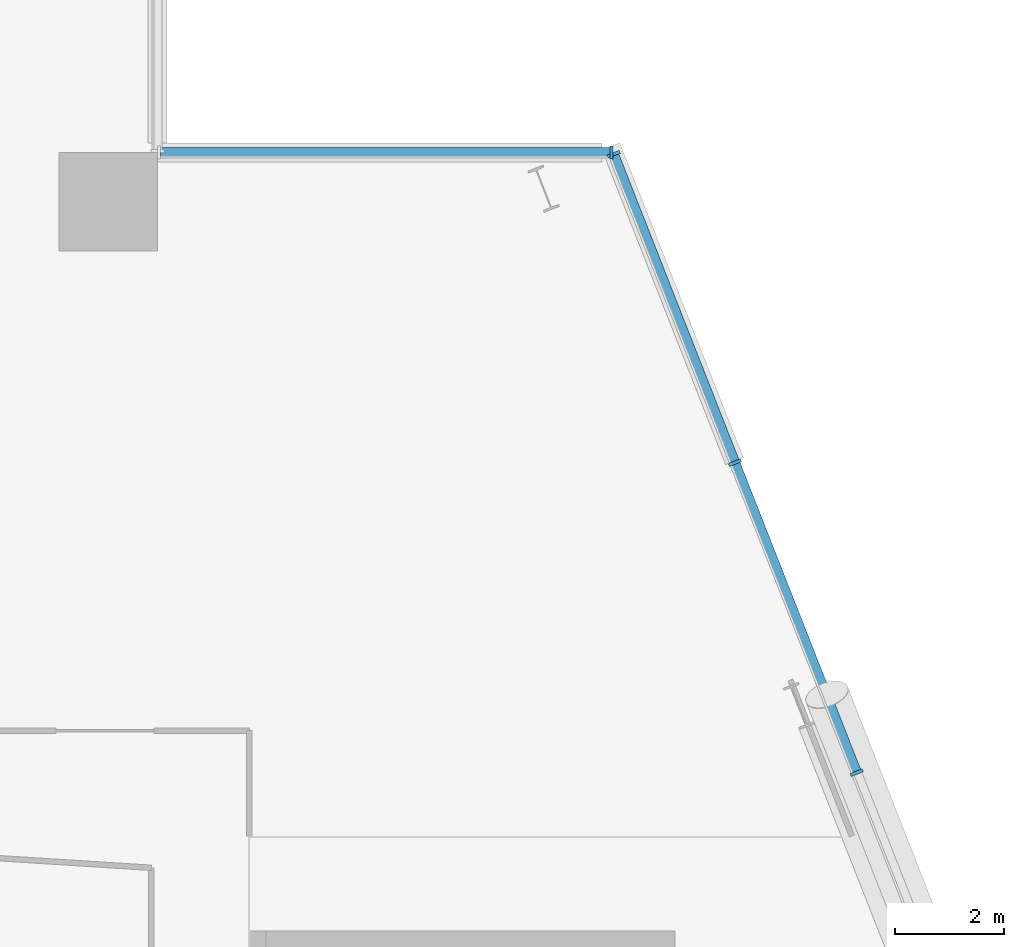
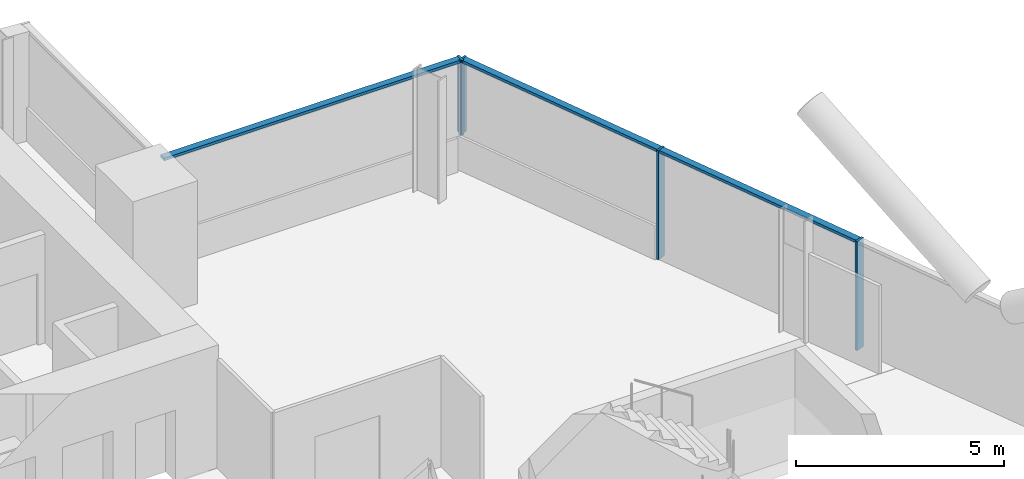
# One storey, part 11 of 27: 7 members, 2 elements without a shape of their own.
"""IFC4 building model written with IfcOpenShell, lengths in metres."""

import ifcopenshell
import ifcopenshell.guid

model = None  # the IFC model being written
_history = None  # IfcOwnerHistory: only IFC2X3 demands one
_inside = {}  # id of a spatial element -> (the spatial element, [elements in it])
_under = {}  # id of a project, library or spatial element -> (it, [spatial elements below it])
_declared = {}  # id of a project -> (the project, [libraries it declares])
_typed = {}  # id of a type object -> (the type object, [elements of that type])
_made_of = {}  # id of a material, layer set ... -> (it, [elements and type objects made of it])


def new_model(schema):
    """Start an empty IFC model of exactly this schema.

    Asked for "IFC4X3", IfcOpenShell would pick the latest addendum, in which some entities
    have other attributes; the version numbers below select the first issue.
    IFC2X3 requires an IfcOwnerHistory on every rooted entity: one is made here for all.
    """
    global model, _history
    if schema == "IFC4X3":
        model = ifcopenshell.file(schema_version=(4, 3, 0, 0))
    else:
        model = ifcopenshell.file(schema=schema)
    _inside.clear()
    _under.clear()
    _declared.clear()
    _typed.clear()
    _made_of.clear()
    _history = None
    if model.schema == "IFC2X3":
        org = make("IfcOrganization", Name="unknown")
        user = make(
            "IfcPersonAndOrganization",
            ThePerson=make("IfcPerson", FamilyName="unknown"),
            TheOrganization=org,
        )
        app = make(
            "IfcApplication",
            ApplicationDeveloper=org,
            Version="unknown",
            ApplicationFullName="unknown",
            ApplicationIdentifier="unknown",
        )
        _history = make(
            "IfcOwnerHistory",
            OwningUser=user,
            OwningApplication=app,
            ChangeAction="ADDED",
            CreationDate=0,
        )
    return model


def make(cls, **values):
    """One entity of the class cls with the attributes given. An attribute that is None is left unset."""
    return model.create_entity(
        cls, **{name: value for name, value in values.items() if value is not None}
    )


def rooted(cls, **values):
    """An entity with a GlobalId (a new one), such as an element, a storey or a relation."""
    return make(cls, GlobalId=ifcopenshell.guid.new(), OwnerHistory=_history, **values)


def si_unit(unit_type, name, prefix=None):
    """IfcSIUnit, for example si_unit("LENGTHUNIT", "METRE", prefix="MILLI")."""
    return make("IfcSIUnit", UnitType=unit_type, Prefix=prefix, Name=name)


def assignment(units):
    """IfcUnitAssignment: the units of a project."""
    return None if units is None else make("IfcUnitAssignment", Units=units)


def point(xyz):
    """IfcCartesianPoint."""
    return None if xyz is None else make("IfcCartesianPoint", Coordinates=xyz)


def direction(xyz):
    """IfcDirection."""
    return None if xyz is None else make("IfcDirection", DirectionRatios=xyz)


def frame(location, z_axis=None, x_axis=None):
    """IfcAxis2Placement3D, a coordinate frame: its origin and axes. An axis left out is left unset."""
    return make(
        "IfcAxis2Placement3D",
        Location=point(location),
        Axis=direction(z_axis),
        RefDirection=direction(x_axis),
    )


def frame_2d(location, x_axis=None):
    """IfcAxis2Placement2D, a coordinate frame in the plane: its origin and x axis."""
    return make(
        "IfcAxis2Placement2D", Location=point(location), RefDirection=direction(x_axis)
    )


def origin():
    """The frame at (0, 0, 0) with its axes left unset."""
    return frame((0.0, 0.0, 0.0))


def origin_2d():
    """The frame at (0, 0) in the plane with its x axis left unset."""
    return frame_2d((0.0, 0.0))


def place(relative_to, where):
    """IfcLocalPlacement: puts the frame where relative to a parent placement (None: the world)."""
    return make(
        "IfcLocalPlacement", PlacementRelTo=relative_to, RelativePlacement=where
    )


def context(
    kind, dimensions, precision=None, world=None, true_north=None, identifier=None
):
    """IfcGeometricRepresentationContext, for example the 3D "Model" context."""
    return make(
        "IfcGeometricRepresentationContext",
        ContextIdentifier=identifier,
        ContextType=kind,
        CoordinateSpaceDimension=dimensions,
        Precision=precision,
        WorldCoordinateSystem=world,
        TrueNorth=true_north,
    )


def subcontext(parent, identifier, kind, view, scale=None):
    """IfcGeometricRepresentationSubContext, for example "Body" below "Model"."""
    return make(
        "IfcGeometricRepresentationSubContext",
        ContextIdentifier=identifier,
        ContextType=kind,
        ParentContext=parent,
        TargetScale=scale,
        TargetView=view,
    )


def project(units=None, contexts=None):
    """IfcProject with its units and contexts."""
    return rooted(
        "IfcProject",
        Name="project",
        RepresentationContexts=contexts,
        UnitsInContext=assignment(units),
    )


def spatial(cls, under=None, at=None, **own):
    """A site, building, storey or space (cls), placed at a placement, below another one or the project."""
    s = rooted(cls, ObjectPlacement=at, **own)
    if under is not None:
        _under.setdefault(under.id(), (under, []))[1].append(s)
    return s


def profile(cls, at=None, kind="AREA", **sizes):
    """A parametric profile (cls). Its sizes go by their IFC names, for example OverallWidth=200.0."""
    return make(cls, ProfileType=kind, Position=at, **sizes)


def rectangle(**sizes):
    """IfcRectangleProfileDef."""
    return profile("IfcRectangleProfileDef", **sizes)


def extrude(swept, where, along, depth):
    """IfcExtrudedAreaSolid: the profile swept, set in the frame where, extruded along a direction by depth."""
    return make(
        "IfcExtrudedAreaSolid",
        SweptArea=swept,
        Position=where,
        ExtrudedDirection=direction(along),
        Depth=depth,
    )


def shape(context_of_items, identifier, shape_type, items):
    """IfcShapeRepresentation: the items that make up one representation, for example the "Body"."""
    return make(
        "IfcShapeRepresentation",
        ContextOfItems=context_of_items,
        RepresentationIdentifier=identifier,
        RepresentationType=shape_type,
        Items=items,
    )


def material(Name=None, Category=None):
    """IfcMaterial."""
    return make("IfcMaterial", Name=Name, Category=Category)


def material_profile(
    of_material, cross_section, Name=None, Category=None, Priority=None
):
    """IfcMaterialProfile: a cross section and its material."""
    return make(
        "IfcMaterialProfile",
        Name=Name,
        Material=of_material,
        Profile=cross_section,
        Priority=Priority,
        Category=Category,
    )


def profile_set(profiles, Name=None, composite=None):
    """IfcMaterialProfileSet."""
    return make(
        "IfcMaterialProfileSet",
        Name=Name,
        MaterialProfiles=profiles,
        CompositeProfile=composite,
    )


def made_of(thing, what):
    """Note that an element or type object is made of a material, layer set ...; save() writes the relation."""
    if what is not None:
        _made_of.setdefault(what.id(), (what, []))[1].append(thing)
    return thing


def type_object(cls, material=None, **own):
    """A type object (cls), such as IfcWallType, which elements share."""
    return made_of(rooted(cls, **own), material)


def element(
    cls,
    number,
    at=None,
    inside=None,
    cuts=None,
    type_object=None,
    material=None,
    context=None,
    identifier="Body",
    shape_type=None,
    held_by="IfcProductDefinitionShape",
    body=None,
    shapes=None,
    **own,
):
    """One element of the class cls, such as IfcWall. Its Tag is "e" and its number.

    at: its placement. inside: the storey or other place that contains it. cuts: it is an
    opening in that element (IfcRelVoidsElement). A single representation is given by context,
    identifier, shape_type and body (its items); several are given by shapes. held_by: the class
    of the entity that holds the representations. save() writes the other relations.
    """
    e = rooted(cls, Tag="e%d" % number, ObjectPlacement=at, **own)
    if body is not None:
        shapes = [shape(context, identifier, shape_type, body)]
    if shapes is not None:
        e.Representation = make(held_by, Representations=shapes)
    if inside is not None:
        _inside.setdefault(inside.id(), (inside, []))[1].append(e)
    if cuts is not None:
        rooted(
            "IfcRelVoidsElement", RelatingBuildingElement=cuts, RelatedOpeningElement=e
        )
    if type_object is not None:
        _typed.setdefault(type_object.id(), (type_object, []))[1].append(e)
    return made_of(e, material)


def aggregate(whole, parts):
    """IfcRelAggregates: a whole, such as a stair, and the parts it consists of."""
    return rooted("IfcRelAggregates", RelatingObject=whole, RelatedObjects=parts)


def save(model, path):
    """Write the relations noted so far, then the file.

    IfcRelAggregates (storeys below a building ...), IfcRelContainedInSpatialStructure (elements
    in a storey), IfcRelDefinesByType, IfcRelAssociatesMaterial and IfcRelDeclares: one each for
    every whole, place, type object, material and project.
    """
    for whole, parts in _under.values():
        aggregate(whole, parts)
    for where, things in _inside.values():
        rooted(
            "IfcRelContainedInSpatialStructure",
            RelatedElements=things,
            RelatingStructure=where,
        )
    for kind, things in _typed.values():
        rooted("IfcRelDefinesByType", RelatedObjects=things, RelatingType=kind)
    for what, things in _made_of.values():
        rooted("IfcRelAssociatesMaterial", RelatedObjects=things, RelatingMaterial=what)
    for by, libraries in _declared.values():
        rooted("IfcRelDeclares", RelatingContext=by, RelatedDefinitions=libraries)
    model.write(path)


model = new_model("IFC4")

# Units and contexts
model_context = context("Model", 3, precision=1e-05, world=origin(), true_north=direction((0.0, 1.0)))
body_context = subcontext(model_context, "Body", "Model", "MODEL_VIEW")
ifc_project = project(units=[si_unit("LENGTHUNIT", "METRE"), si_unit("AREAUNIT", "SQUARE_METRE"), si_unit("VOLUMEUNIT", "CUBIC_METRE"), si_unit("PLANEANGLEUNIT", "RADIAN"), si_unit("MASSUNIT", "GRAM", prefix="KILO")], contexts=[model_context])

# Site, building, storey
site_placement = place(None, origin())
site = spatial("IfcSite", under=ifc_project, at=site_placement, CompositionType="ELEMENT")
building_placement = place(site_placement, origin())
building = spatial("IfcBuilding", under=site, at=building_placement, Name="Wharfspan Tower", CompositionType="ELEMENT")
storey_placement = place(building_placement, frame((0.0, 0.0, 139.899902)))
storey = spatial("IfcBuildingStorey", under=building, at=storey_placement, Name="L33", CompositionType="ELEMENT", Elevation=139.899902)

# Curtain wall, members
ifc_material = material(Name="Aluminium 6063-T6", Category="aluminium")
curtain_wall_type = type_object("IfcCurtainWallType", Name="CURTAIN WALL PROW AND END", PredefinedType="NOTDEFINED", material=ifc_material)
curtain_wall_1_placement = place(storey_placement, origin())
curtain_wall_1 = element("IfcCurtainWall", 1, at=curtain_wall_1_placement, inside=storey, type_object=curtain_wall_type, Name="Curtain wall E", PredefinedType="NOTDEFINED")
ifc_material_profile_1 = material_profile(ifc_material, rectangle(XDim=0.23999, YDim=0.060059, at=origin_2d()))
ifc_profile_set_1 = profile_set([ifc_material_profile_1], Name="Aluminium 6063-T6")
member_type_1 = type_object("IfcMemberType", Name="MULLION PROW AND END 60x240", PredefinedType="MULLION", material=ifc_profile_set_1)
member_1_placement = place(storey_placement, frame((80.827148, 30.628662, 0.0), z_axis=(0.0, 0.0, 1.0), x_axis=(-0.930702, -0.365778, 0.0)))
member_1 = element("IfcMember", 2, at=member_1_placement, type_object=member_type_1, Name="Curtain wall E mullion 6", PredefinedType="MULLION", context=body_context, shape_type="SweptSolid", body=[
    extrude(rectangle(XDim=0.23999, YDim=0.060059, at=origin_2d()), origin(), (0.0, 0.0, 1.0), 3.200195),
])
member_2_placement = place(storey_placement, frame((78.592529, 36.314209, 0.0), z_axis=(0.0, 0.0, 1.0), x_axis=(-0.930702, -0.365778, 0.0)))
member_2 = element("IfcMember", 3, at=member_2_placement, type_object=member_type_1, Name="Curtain wall E mullion 7", PredefinedType="MULLION", context=body_context, shape_type="SweptSolid", body=[
    extrude(rectangle(XDim=0.23999, YDim=0.060059, at=origin_2d()), origin(), (0.0, 0.0, 1.0), 3.200195),
])
member_3_placement = place(storey_placement, frame((76.369141, 41.972168, 1.0), z_axis=(0.0, 0.0, 1.0), x_axis=(-0.930702, -0.365778, 0.0)))
member_3 = element("IfcMember", 4, at=member_3_placement, type_object=member_type_1, Name="Curtain wall E mullion 8", PredefinedType="MULLION", context=body_context, shape_type="SweptSolid", body=[
    extrude(rectangle(XDim=0.23999, YDim=0.060059, at=origin_2d()), origin(), (0.0, 0.0, 1.0), 2.200195),
])

# Curtain wall, member
curtain_wall_2_placement = place(storey_placement, origin())
curtain_wall_2 = element("IfcCurtainWall", 5, at=curtain_wall_2_placement, inside=storey, type_object=curtain_wall_type, Name="Curtain wall NRE-H", PredefinedType="NOTDEFINED")
member_4_placement = place(storey_placement, frame((76.328125, 42.0, 1.0), z_axis=(0.0, 0.0, 1.0), x_axis=(0.0, -1.0, 0.0)))
member_4 = element("IfcMember", 6, at=member_4_placement, type_object=member_type_1, Name="Curtain wall NRE-H mullion 1", PredefinedType="MULLION", context=body_context, shape_type="SweptSolid", body=[
    extrude(rectangle(XDim=0.23999, YDim=0.060059, at=origin_2d()), origin(), (0.0, 0.0, 1.0), 2.200195),
])

# Member
ifc_material_profile_2 = material_profile(ifc_material, rectangle(XDim=0.179932, YDim=0.080078, at=origin_2d()))
ifc_profile_set_2 = profile_set([ifc_material_profile_2], Name="Aluminium 6063-T6")
member_type_2 = type_object("IfcMemberType", Name="TRANSOM PROW AND END 80x180", PredefinedType="USERDEFINED", material=ifc_profile_set_2)
member_5_placement = place(storey_placement, frame((80.816162, 30.656494, 3.160156), z_axis=(-0.365782, 0.9307, 0.0), x_axis=(-0.9307, -0.365782, 0.0)))
member_5 = element("IfcMember", 7, at=member_5_placement, type_object=member_type_2, Name="Curtain wall E transom 6", ObjectType="TRANSOM", PredefinedType="USERDEFINED", context=body_context, shape_type="SweptSolid", body=[
    extrude(rectangle(XDim=0.179932, YDim=0.080078, at=origin_2d()), origin(), (0.0, 0.0, 1.0), 6.049072),
])

member_6_placement = place(storey_placement, frame((78.581787, 36.342285, 3.160156), z_axis=(-0.365789, 0.930698, 0.0), x_axis=(-0.930698, -0.365789, 0.0)))
member_6 = element("IfcMember", 8, at=member_6_placement, type_object=member_type_2, Name="Curtain wall E transom 7", ObjectType="TRANSOM", PredefinedType="USERDEFINED", context=body_context, shape_type="SweptSolid", body=[
    extrude(rectangle(XDim=0.179932, YDim=0.080078, at=origin_2d()), origin(), (0.0, 0.0, 1.0), 6.019043),
])

aggregate(curtain_wall_1, [member_1, member_2, member_3, member_5, member_6])

member_7_placement = place(storey_placement, frame((76.298096, 42.0, 3.160156), z_axis=(-1.0, 0.0, 0.0), x_axis=(0.0, -1.0, 0.0)))
member_7 = element("IfcMember", 9, at=member_7_placement, type_object=member_type_2, Name="Curtain wall NRE-H transom 1", ObjectType="TRANSOM", PredefinedType="USERDEFINED", context=body_context, shape_type="SweptSolid", body=[
    extrude(rectangle(XDim=0.179932, YDim=0.080078, at=origin_2d()), origin(), (0.0, 0.0, 1.0), 8.238037),
])

aggregate(curtain_wall_2, [member_4, member_7])

save(model, "model.ifc")
